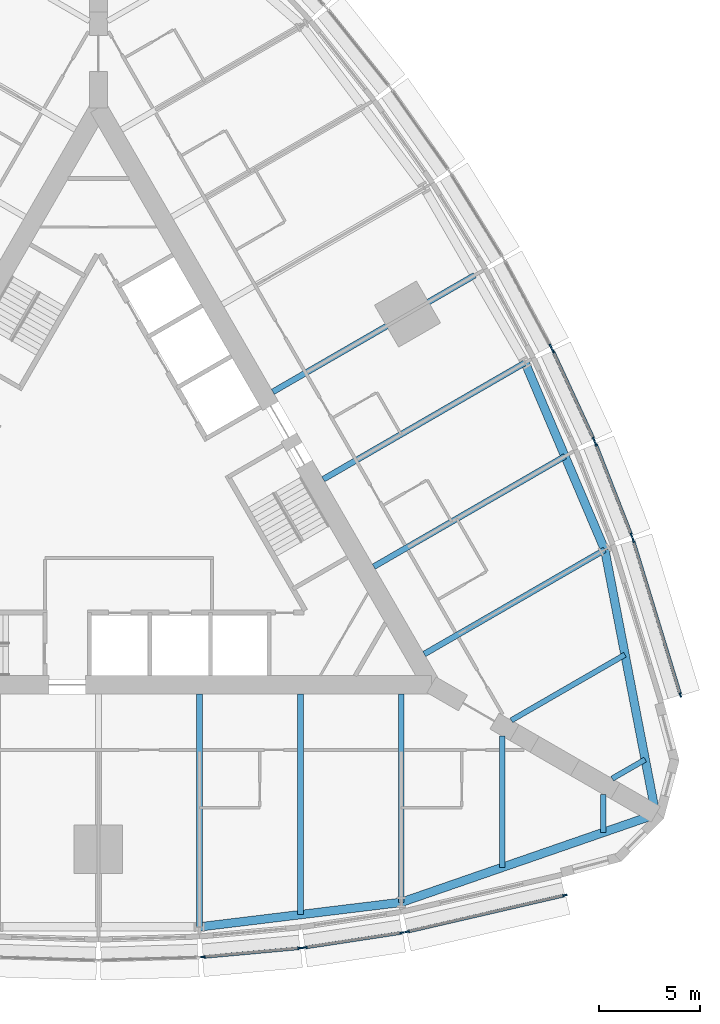
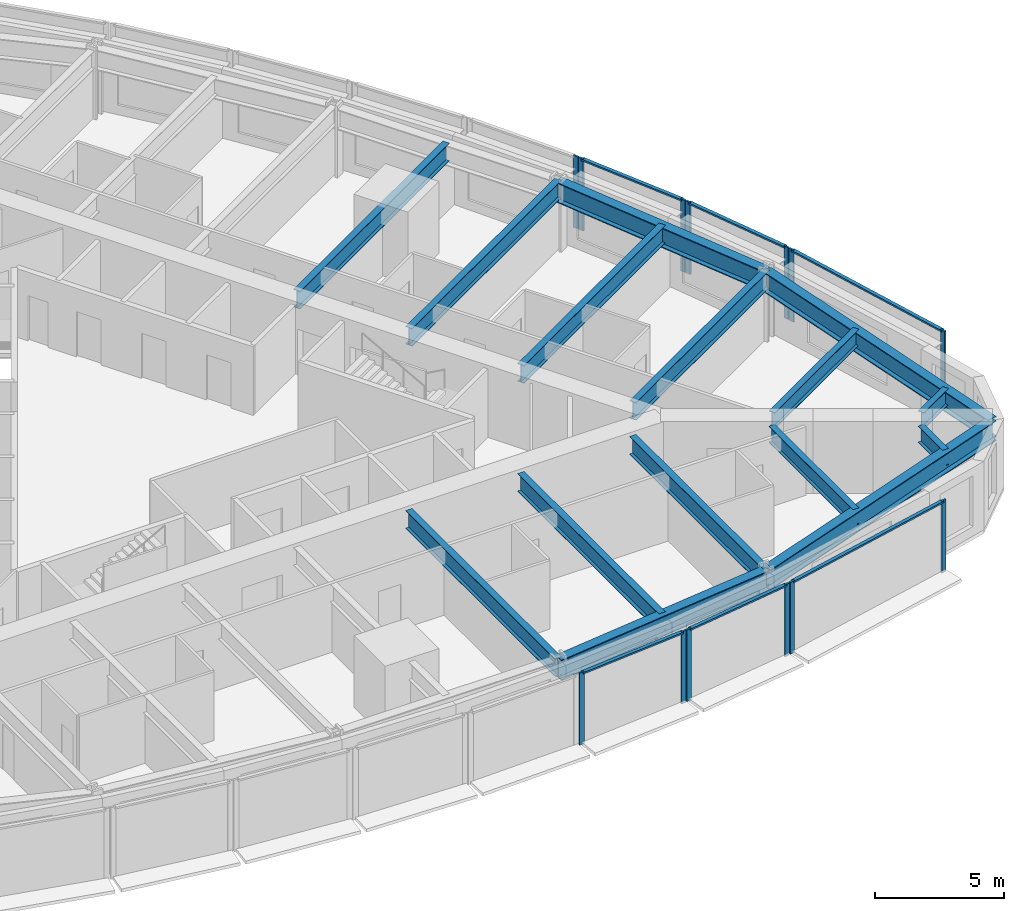
# One storey, part 3 of 14: 19 members, 15 beams, 7 elements without a shape of their own.
"""IFC4 building model written with IfcOpenShell, lengths in metres."""

from ifc_helpers import new_model, si_unit, direction, frame, origin, origin_2d, place, context, subcontext, project, spatial, rectangle, i_section, extrude, material, material_profile, profile_set, type_object, element, aggregate, save


model = new_model("IFC4")

# Units and contexts
model_context = context("Model", 3, precision=1e-05, world=origin(), true_north=direction((0.0, 1.0)))
body_context = subcontext(model_context, "Body", "Model", "MODEL_VIEW")
ifc_project = project(units=[si_unit("LENGTHUNIT", "METRE"), si_unit("AREAUNIT", "SQUARE_METRE"), si_unit("VOLUMEUNIT", "CUBIC_METRE"), si_unit("PLANEANGLEUNIT", "RADIAN"), si_unit("MASSUNIT", "GRAM", prefix="KILO")], contexts=[model_context])

# Site, building, storey
site_placement = place(None, origin())
site = spatial("IfcSite", under=ifc_project, at=site_placement, CompositionType="ELEMENT")
building_placement = place(site_placement, origin())
building = spatial("IfcBuilding", under=site, at=building_placement, Name="Trikona Tower", CompositionType="ELEMENT")
storey_placement = place(building_placement, frame((0.0, 0.0, 55.699951171875)))
storey = spatial("IfcBuildingStorey", under=building, at=storey_placement, Name="L13", CompositionType="ELEMENT", Elevation=55.699951171875)

# Curtain wall, members
ifc_material_1 = material(Name="Aluminium curtain wall system", Category="aluminium")
curtain_wall_type = type_object("IfcCurtainWallType", Name="Curtain wall DS1", PredefinedType="NOTDEFINED", material=ifc_material_1)
curtain_wall_1_placement = place(storey_placement, origin())
curtain_wall_1 = element("IfcCurtainWall", 1, at=curtain_wall_1_placement, inside=storey, type_object=curtain_wall_type, Name="Curtain wall DS1 L13", PredefinedType="NOTDEFINED")
ifc_material_2 = material(Name="Aluminium mullion, pale anodised", Category="aluminium")
ifc_material_profile_1 = material_profile(ifc_material_2, rectangle(XDim=0.080078125, YDim=0.219970703125, at=origin_2d()), Name="MUL-DS1")
ifc_profile_set_1 = profile_set([ifc_material_profile_1], Name="Aluminium mullion, pale anodised")
member_type_1 = type_object("IfcMemberType", Name="Mullion DS1 80x220", PredefinedType="MULLION", material=ifc_profile_set_1)
member_1_placement = place(storey_placement, frame((5.181396484375, -23.007568359375, 0.0), z_axis=(0.0, 0.0, 1.0), x_axis=(-0.090923932737, 0.995857840485, 0.0)))
member_1 = element("IfcMember", 2, at=member_1_placement, type_object=member_type_1, Name="CW-DS1 mullion 1", PredefinedType="MULLION", context=body_context, shape_type="SweptSolid", body=[
    extrude(rectangle(XDim=0.080078125, YDim=0.219970703125, at=origin_2d()), origin(), (0.0, 0.0, 1.0), 3.400146484375),
])
member_2_placement = place(storey_placement, frame((9.982177734375, -22.5693359375, 0.0), z_axis=(0.0, 0.0, 1.0), x_axis=(-0.090923932737, 0.995857840485, 0.0)))
member_2 = element("IfcMember", 3, at=member_2_placement, type_object=member_type_1, Name="CW-DS1 mullion 2", PredefinedType="MULLION", context=body_context, shape_type="SweptSolid", body=[
    extrude(rectangle(XDim=0.080078125, YDim=0.219970703125, at=origin_2d()), origin(), (0.0, 0.0, 1.0), 3.400146484375),
])

curtain_wall_2_placement = place(storey_placement, origin())
curtain_wall_2 = element("IfcCurtainWall", 4, at=curtain_wall_2_placement, inside=storey, type_object=curtain_wall_type, Name="Curtain wall DS1 L13", PredefinedType="NOTDEFINED")
member_3_placement = place(storey_placement, frame((10.234130859375, -22.53857421875, 0.0), z_axis=(0.0, 0.0, 1.0), x_axis=(-0.150437693845, 0.988619492156, 0.0)))
member_3 = element("IfcMember", 5, at=member_3_placement, type_object=member_type_1, Name="CW-DS1 mullion 1", PredefinedType="MULLION", context=body_context, shape_type="SweptSolid", body=[
    extrude(rectangle(XDim=0.080078125, YDim=0.219970703125, at=origin_2d()), origin(), (0.0, 0.0, 1.0), 3.400146484375),
])
member_4_placement = place(storey_placement, frame((15.03662109375, -21.807861328125, 0.0), z_axis=(0.0, 0.0, 1.0), x_axis=(-0.150437693845, 0.988619492156, 0.0)))
member_4 = element("IfcMember", 6, at=member_4_placement, type_object=member_type_1, Name="CW-DS1 mullion 2", PredefinedType="MULLION", context=body_context, shape_type="SweptSolid", body=[
    extrude(rectangle(XDim=0.080078125, YDim=0.219970703125, at=origin_2d()), origin(), (0.0, 0.0, 1.0), 3.400146484375),
])

curtain_wall_3_placement = place(storey_placement, origin())
curtain_wall_3 = element("IfcCurtainWall", 7, at=curtain_wall_3_placement, inside=storey, type_object=curtain_wall_type, Name="Curtain wall DS1 L13", PredefinedType="NOTDEFINED")
member_5_placement = place(storey_placement, frame((15.30029296875, -21.75732421875, 0.0), z_axis=(0.0, 0.0, 1.0), x_axis=(-0.225343288756, 0.974279427173, 0.0)))
member_5 = element("IfcMember", 8, at=member_5_placement, type_object=member_type_1, Name="CW-DS1 mullion 1", PredefinedType="MULLION", context=body_context, shape_type="SweptSolid", body=[
    extrude(rectangle(XDim=0.080078125, YDim=0.219970703125, at=origin_2d()), origin(), (0.0, 0.0, 1.0), 3.400146484375),
])
member_6_placement = place(storey_placement, frame((23.10546875, -19.951904296875, 0.0), z_axis=(0.0, 0.0, 1.0), x_axis=(-0.225343288756, 0.974279427173, 0.0)))
member_6 = element("IfcMember", 9, at=member_6_placement, type_object=member_type_1, Name="CW-DS1 mullion 2", PredefinedType="MULLION", context=body_context, shape_type="SweptSolid", body=[
    extrude(rectangle(XDim=0.080078125, YDim=0.219970703125, at=origin_2d()), origin(), (0.0, 0.0, 1.0), 3.400146484375),
])

curtain_wall_4_placement = place(storey_placement, origin())
curtain_wall_4 = element("IfcCurtainWall", 10, at=curtain_wall_4_placement, inside=storey, type_object=curtain_wall_type, Name="Curtain wall DS1 L13", PredefinedType="NOTDEFINED")
member_7_placement = place(storey_placement, frame((28.83154296875, -10.033935546875, 0.0), z_axis=(0.0, 0.0, 1.0), x_axis=(-0.956423115383, -0.291984287868, 0.0)))
member_7 = element("IfcMember", 11, at=member_7_placement, type_object=member_type_1, Name="CW-DS1 mullion 1", PredefinedType="MULLION", context=body_context, shape_type="SweptSolid", body=[
    extrude(rectangle(XDim=0.080078125, YDim=0.219970703125, at=origin_2d()), origin(), (0.0, 0.0, 1.0), 3.400146484375),
])
member_8_placement = place(storey_placement, frame((26.492431640625, -2.371826171875, 0.0), z_axis=(0.0, 0.0, 1.0), x_axis=(-0.956423115383, -0.291984287868, 0.0)))
member_8 = element("IfcMember", 12, at=member_8_placement, type_object=member_type_1, Name="CW-DS1 mullion 2", PredefinedType="MULLION", context=body_context, shape_type="SweptSolid", body=[
    extrude(rectangle(XDim=0.080078125, YDim=0.219970703125, at=origin_2d()), origin(), (0.0, 0.0, 1.0), 3.400146484375),
])

curtain_wall_5_placement = place(storey_placement, origin())
curtain_wall_5 = element("IfcCurtainWall", 13, at=curtain_wall_5_placement, inside=storey, type_object=curtain_wall_type, Name="Curtain wall DS1 L13", PredefinedType="NOTDEFINED")
member_9_placement = place(storey_placement, frame((26.404296875, -2.1181640625, 0.0), z_axis=(0.0, 0.0, 1.0), x_axis=(-0.931395989443, -0.36400756977, 0.0)))
member_9 = element("IfcMember", 14, at=member_9_placement, type_object=member_type_1, Name="CW-DS1 mullion 1", PredefinedType="MULLION", context=body_context, shape_type="SweptSolid", body=[
    extrude(rectangle(XDim=0.080078125, YDim=0.219970703125, at=origin_2d()), origin(), (0.0, 0.0, 1.0), 3.400146484375),
])
member_10_placement = place(storey_placement, frame((24.63623046875, 2.40625, 0.0), z_axis=(0.0, 0.0, 1.0), x_axis=(-0.931395989443, -0.36400756977, 0.0)))
member_10 = element("IfcMember", 15, at=member_10_placement, type_object=member_type_1, Name="CW-DS1 mullion 2", PredefinedType="MULLION", context=body_context, shape_type="SweptSolid", body=[
    extrude(rectangle(XDim=0.080078125, YDim=0.219970703125, at=origin_2d()), origin(), (0.0, 0.0, 1.0), 3.400146484375),
])

curtain_wall_6_placement = place(storey_placement, origin())
curtain_wall_6 = element("IfcCurtainWall", 16, at=curtain_wall_6_placement, inside=storey, type_object=curtain_wall_type, Name="Curtain wall DS1 L13", PredefinedType="NOTDEFINED")
member_11_placement = place(storey_placement, frame((24.53662109375, 2.6396484375, 0.0), z_axis=(0.0, 0.0, 1.0), x_axis=(-0.907898459992, -0.419190155352, 0.0)))
member_11 = element("IfcMember", 17, at=member_11_placement, type_object=member_type_1, Name="CW-DS1 mullion 1", PredefinedType="MULLION", context=body_context, shape_type="SweptSolid", body=[
    extrude(rectangle(XDim=0.080078125, YDim=0.219970703125, at=origin_2d()), origin(), (0.0, 0.0, 1.0), 3.400146484375),
])
member_12_placement = place(storey_placement, frame((22.515869140625, 7.0166015625, 0.0), z_axis=(0.0, 0.0, 1.0), x_axis=(-0.907898459992, -0.419190155352, 0.0)))
member_12 = element("IfcMember", 18, at=member_12_placement, type_object=member_type_1, Name="CW-DS1 mullion 2", PredefinedType="MULLION", context=body_context, shape_type="SweptSolid", body=[
    extrude(rectangle(XDim=0.080078125, YDim=0.219970703125, at=origin_2d()), origin(), (0.0, 0.0, 1.0), 3.400146484375),
])

# Curtain wall, member
curtain_wall_7_placement = place(storey_placement, origin())
curtain_wall_7 = element("IfcCurtainWall", 19, at=curtain_wall_7_placement, inside=storey, type_object=curtain_wall_type, Name="Curtain wall DS1 L13", PredefinedType="NOTDEFINED")
member_13_placement = place(storey_placement, frame((22.402099609375, 7.244140625, 0.0), z_axis=(0.0, 0.0, 1.0), x_axis=(-0.880843080975, -0.473408350896, 0.0)))
member_13 = element("IfcMember", 20, at=member_13_placement, type_object=member_type_1, Name="CW-DS1 mullion 1", PredefinedType="MULLION", context=body_context, shape_type="SweptSolid", body=[
    extrude(rectangle(XDim=0.080078125, YDim=0.219970703125, at=origin_2d()), origin(), (0.0, 0.0, 1.0), 3.400146484375),
])
aggregate(curtain_wall_7, [member_13])

# Beams
ifc_material_3 = material(Name="Steel ASTM A992 Grade 50", Category="steel")
ifc_material_profile_2 = material_profile(ifc_material_3, i_section(OverallWidth=0.2666015625, OverallDepth=0.76953125, WebThickness=0.015625, FlangeThickness=0.025390625, at=origin_2d()), Name="W30X132")
ifc_profile_set_2 = profile_set([ifc_material_profile_2], Name="Steel ASTM A992 Grade 50")
beam_type_1 = type_object("IfcBeamType", Name="Steel beam W30x132 (wedge)", PredefinedType="BEAM", material=ifc_profile_set_2)
beam_1_placement = place(storey_placement, frame((20.0, -12.066650390625, 2.850341796875), z_axis=(0.0, -1.0, 0.0), x_axis=(1.0, 0.0, 0.0)))
element("IfcBeam", 21, at=beam_1_placement, inside=storey, type_object=beam_type_1, Name="Floor beam L14 F1 u20", PredefinedType="BEAM", context=body_context, shape_type="SweptSolid", body=[
    extrude(i_section(OverallWidth=0.2666015625, OverallDepth=0.76953125, WebThickness=0.015625, FlangeThickness=0.025390625, at=origin_2d()), origin(), (0.0, 0.0, 1.0), 6.5068359375),
])
for number, where, z_axis, x_axis, name in (
    (22, (25.0, -14.953369140625, 2.850341796875), (0.0, -1.0, 0.0), (1.0, 0.0, 0.0), "Floor beam L14 F1 u25"),
    (23, (25.449951171875, -14.173828125, 2.850341796875), (0.866065156741, 0.499931139538, 0.0), (-0.499931139538, 0.866065156741, 0.0), "Floor beam L14 F2 u-25"),
):
    element("IfcBeam", number, at=place(storey_placement, frame(where, z_axis=z_axis, x_axis=x_axis)), inside=storey, type_object=beam_type_1, Name=name, PredefinedType="BEAM", context=body_context, shape_type="SweptSolid", body=[
        extrude(i_section(OverallWidth=0.2666015625, OverallDepth=0.76953125, WebThickness=0.015625, FlangeThickness=0.025390625, at=origin_2d()), origin(), (0.0, 0.0, 1.0), 1.890380859375),
    ])
beam_2_placement = place(storey_placement, frame((20.449951171875, -11.287109375, 2.850341796875), z_axis=(0.866022504693, 0.50000502134, 0.0), x_axis=(-0.50000502134, 0.866022504693, 0.0)))
element("IfcBeam", 24, at=beam_2_placement, inside=storey, type_object=beam_type_1, Name="Floor beam L14 F2 u-20", PredefinedType="BEAM", context=body_context, shape_type="SweptSolid", body=[
    extrude(i_section(OverallWidth=0.2666015625, OverallDepth=0.76953125, WebThickness=0.015625, FlangeThickness=0.025390625, at=origin_2d()), origin(), (0.0, 0.0, 1.0), 6.5068359375),
])
ifc_material_4 = material(Name="Steel ASTM A992 Grade 50", Category="steel")
ifc_material_profile_3 = material_profile(ifc_material_4, i_section(OverallWidth=0.2919921875, OverallDepth=0.845703125, WebThickness=0.015380859375, FlangeThickness=0.0244140625, at=origin_2d()), Name="W33X141")
ifc_profile_set_3 = profile_set([ifc_material_profile_3], Name="Steel ASTM A992 Grade 50")
beam_type_2 = type_object("IfcBeamType", Name="Steel beam W33x141 (radial typ)", PredefinedType="BEAM", material=ifc_profile_set_3)
beam_3_placement = place(storey_placement, frame((5.0, -9.976318359375, 2.812255859375), z_axis=(0.0, -1.0, 0.0), x_axis=(1.0, 0.0, 0.0)))
element("IfcBeam", 25, at=beam_3_placement, inside=storey, type_object=beam_type_2, Name="Floor beam L14 F1 u5", PredefinedType="BEAM", context=body_context, shape_type="SweptSolid", body=[
    extrude(i_section(OverallWidth=0.2919921875, OverallDepth=0.845703125, WebThickness=0.015380859375, FlangeThickness=0.0244140625, at=origin_2d()), origin(), (0.0, 0.0, 1.0), 11.544189453125),
])
beam_4_placement = place(storey_placement, frame((10.0, -9.976318359375, 2.812255859375), z_axis=(0.0, -1.0, 0.0), x_axis=(1.0, 0.0, 0.0)))
element("IfcBeam", 26, at=beam_4_placement, inside=storey, type_object=beam_type_2, Name="Floor beam L14 F1 u10", PredefinedType="BEAM", context=body_context, shape_type="SweptSolid", body=[
    extrude(i_section(OverallWidth=0.2919921875, OverallDepth=0.845703125, WebThickness=0.015380859375, FlangeThickness=0.0244140625, at=origin_2d()), origin(), (0.0, 0.0, 1.0), 10.935302734375),
])
beam_5_placement = place(storey_placement, frame((15.0, -9.976318359375, 2.812255859375), z_axis=(0.0, -1.0, 0.0), x_axis=(1.0, 0.0, 0.0)))
element("IfcBeam", 27, at=beam_5_placement, inside=storey, type_object=beam_type_2, Name="Floor beam L14 F1 u15", PredefinedType="BEAM", context=body_context, shape_type="SweptSolid", body=[
    extrude(i_section(OverallWidth=0.2919921875, OverallDepth=0.845703125, WebThickness=0.015380859375, FlangeThickness=0.0244140625, at=origin_2d()), origin(), (0.0, 0.0, 1.0), 10.32666015625),
])
beam_6_placement = place(storey_placement, frame((16.1396484375, -8.002197265625, 2.812255859375), z_axis=(0.866030471684, 0.499991222037, 0.0), x_axis=(-0.499991222037, 0.866030471684, 0.0)))
element("IfcBeam", 28, at=beam_6_placement, inside=storey, type_object=beam_type_2, Name="Floor beam L14 F2 u-15", PredefinedType="BEAM", context=body_context, shape_type="SweptSolid", body=[
    extrude(i_section(OverallWidth=0.2919921875, OverallDepth=0.845703125, WebThickness=0.015380859375, FlangeThickness=0.0244140625, at=origin_2d()), origin(), (0.0, 0.0, 1.0), 10.326904296875),
])
beam_7_placement = place(storey_placement, frame((13.6396484375, -3.672119140625, 2.812255859375), z_axis=(0.866025348605, 0.500000095573, 0.0), x_axis=(-0.500000095573, 0.866025348605, 0.0)))
element("IfcBeam", 29, at=beam_7_placement, inside=storey, type_object=beam_type_2, Name="Floor beam L14 F2 u-10", PredefinedType="BEAM", context=body_context, shape_type="SweptSolid", body=[
    extrude(i_section(OverallWidth=0.2919921875, OverallDepth=0.845703125, WebThickness=0.015380859375, FlangeThickness=0.0244140625, at=origin_2d()), origin(), (0.0, 0.0, 1.0), 10.935546875),
])
for number, where, z_axis, x_axis, name in (
    (30, (11.1396484375, 0.657958984375, 2.812255859375), (0.866020765707, 0.500008033299, 0.0), (-0.500008033299, 0.866020765707, 0.0), "Floor beam L14 F2 u-5"),
    (31, (8.6396484375, 4.988037109375, 2.812255859375), (0.866020765707, 0.500008033299, 0.0), (-0.500008033299, 0.866020765707, 0.0), "Floor beam L14 F2 u0"),
):
    element("IfcBeam", number, at=place(storey_placement, frame(where, z_axis=z_axis, x_axis=x_axis)), inside=storey, type_object=beam_type_2, Name=name, PredefinedType="BEAM", context=body_context, shape_type="SweptSolid", body=[
        extrude(i_section(OverallWidth=0.2919921875, OverallDepth=0.845703125, WebThickness=0.015380859375, FlangeThickness=0.0244140625, at=origin_2d()), origin(), (0.0, 0.0, 1.0), 11.544189453125),
    ])
ifc_material_5 = material(Name="Steel ASTM A992 Grade 50", Category="steel")
ifc_material_profile_4 = material_profile(ifc_material_5, i_section(OverallWidth=0.424072265625, OverallDepth=0.947509765625, WebThickness=0.02392578125, FlangeThickness=0.042724609375, at=origin_2d()), Name="W36X302")
ifc_profile_set_4 = profile_set([ifc_material_profile_4], Name="Steel ASTM A992 Grade 50")
beam_type_3 = type_object("IfcBeamType", Name="Steel beam W36x302 (spandrel)", PredefinedType="SPANDREL", material=ifc_profile_set_4)
beam_8_placement = place(storey_placement, frame((5.0, -21.5205078125, 2.76123046875), z_axis=(0.99266951126, 0.120860421207, 0.0), x_axis=(-0.120860421207, 0.99266951126, 0.0)))
element("IfcBeam", 32, at=beam_8_placement, inside=storey, type_object=beam_type_3, Name="Spandrel beam L14 F1-4", PredefinedType="SPANDREL", context=body_context, shape_type="SweptSolid", body=[
    extrude(i_section(OverallWidth=0.424072265625, OverallDepth=0.947509765625, WebThickness=0.02392578125, FlangeThickness=0.042724609375, at=origin_2d()), origin(), (0.0, 0.0, 1.0), 10.07373046875),
])
for number, where, z_axis, x_axis, name in (
    (33, (15.0, -20.302978515625, 2.76123046875), (0.945056965739, 0.326905692071, 0.0), (-0.326905692071, 0.945056965739, 0.0), "Spandrel beam L14 F1-5"),
    (34, (27.6103515625, -15.94091796875, 2.76123046875), (-0.189405184036, 0.981899015307, 0.0), (-0.981899015307, -0.189405184036, 0.0), "Spandrel beam L14 F2-1"),
):
    element("IfcBeam", number, at=place(storey_placement, frame(where, z_axis=z_axis, x_axis=x_axis)), inside=storey, type_object=beam_type_3, Name=name, PredefinedType="SPANDREL", context=body_context, shape_type="SweptSolid", body=[
        extrude(i_section(OverallWidth=0.424072265625, OverallDepth=0.947509765625, WebThickness=0.02392578125, FlangeThickness=0.042724609375, at=origin_2d()), origin(), (0.0, 0.0, 1.0), 13.343505859375),
    ])
beam_9_placement = place(storey_placement, frame((25.0830078125, -2.8388671875, 2.76123046875), z_axis=(-0.391683514847, 0.920100007715, 0.0), x_axis=(-0.920100007715, -0.391683514847, 0.0)))
element("IfcBeam", 35, at=beam_9_placement, inside=storey, type_object=beam_type_3, Name="Spandrel beam L14 F2-2", PredefinedType="SPANDREL", context=body_context, shape_type="SweptSolid", body=[
    extrude(i_section(OverallWidth=0.424072265625, OverallDepth=0.947509765625, WebThickness=0.02392578125, FlangeThickness=0.042724609375, at=origin_2d()), origin(), (0.0, 0.0, 1.0), 10.073974609375),
])

# Member
ifc_material_6 = material(Name="Aluminium transom, pale anodised", Category="aluminium")
ifc_material_profile_5 = material_profile(ifc_material_6, rectangle(XDim=0.159912109375, YDim=0.080078125, at=origin_2d()), Name="TRN-DS1")
ifc_profile_set_5 = profile_set([ifc_material_profile_5], Name="Aluminium transom, pale anodised")
member_type_2 = type_object("IfcMemberType", Name="Transom DS1 80x160", PredefinedType="USERDEFINED", material=ifc_profile_set_5)
member_14_placement = place(storey_placement, frame((5.22119140625, -23.00390625, 3.360107421875), z_axis=(0.995855977008, 0.090944340438, 0.0), x_axis=(-0.090944340438, 0.995855977008, 0.0)))
member_14 = element("IfcMember", 36, at=member_14_placement, type_object=member_type_2, Name="CW-DS1 transom 1.1", ObjectType="TRANSOM", PredefinedType="USERDEFINED", context=body_context, shape_type="SweptSolid", body=[
    extrude(rectangle(XDim=0.159912109375, YDim=0.080078125, at=origin_2d()), origin(), (0.0, 0.0, 1.0), 4.74072265625),
])

aggregate(curtain_wall_1, [member_1, member_2, member_14])

member_15_placement = place(storey_placement, frame((10.273681640625, -22.532470703125, 3.360107421875), z_axis=(0.988619663412, 0.150436568413, 0.0), x_axis=(-0.150436568413, 0.988619663412, 0.0)))
member_15 = element("IfcMember", 37, at=member_15_placement, type_object=member_type_2, Name="CW-DS1 transom 1.1", ObjectType="TRANSOM", PredefinedType="USERDEFINED", context=body_context, shape_type="SweptSolid", body=[
    extrude(rectangle(XDim=0.159912109375, YDim=0.080078125, at=origin_2d()), origin(), (0.0, 0.0, 1.0), 4.77783203125),
])

aggregate(curtain_wall_2, [member_3, member_4, member_15])

member_16_placement = place(storey_placement, frame((15.33935546875, -21.748291015625, 3.360107421875), z_axis=(0.974275371842, 0.225360821398, 0.0), x_axis=(-0.225360821398, 0.974275371842, 0.0)))
member_16 = element("IfcMember", 38, at=member_16_placement, type_object=member_type_2, Name="CW-DS1 transom 1.1", ObjectType="TRANSOM", PredefinedType="USERDEFINED", context=body_context, shape_type="SweptSolid", body=[
    extrude(rectangle(XDim=0.159912109375, YDim=0.080078125, at=origin_2d()), origin(), (0.0, 0.0, 1.0), 7.93115234375),
])

aggregate(curtain_wall_3, [member_5, member_6, member_16])

member_17_placement = place(storey_placement, frame((28.81982421875, -9.99560546875, 3.360107421875), z_axis=(-0.291967490203, 0.956428243343, 0.0), x_axis=(-0.956428243343, -0.291967490203, 0.0)))
member_17 = element("IfcMember", 39, at=member_17_placement, type_object=member_type_2, Name="CW-DS1 transom 1.1", ObjectType="TRANSOM", PredefinedType="USERDEFINED", context=body_context, shape_type="SweptSolid", body=[
    extrude(rectangle(XDim=0.159912109375, YDim=0.080078125, at=origin_2d()), origin(), (0.0, 0.0, 1.0), 7.93115234375),
])

aggregate(curtain_wall_4, [member_7, member_8, member_17])

member_18_placement = place(storey_placement, frame((26.389892578125, -2.080810546875, 3.360107421875), z_axis=(-0.364048647668, 0.931379934362, 0.0), x_axis=(-0.931379934362, -0.364048647668, 0.0)))
member_18 = element("IfcMember", 40, at=member_18_placement, type_object=member_type_2, Name="CW-DS1 transom 1.1", ObjectType="TRANSOM", PredefinedType="USERDEFINED", context=body_context, shape_type="SweptSolid", body=[
    extrude(rectangle(XDim=0.159912109375, YDim=0.080078125, at=origin_2d()), origin(), (0.0, 0.0, 1.0), 4.777587890625),
])

aggregate(curtain_wall_5, [member_9, member_10, member_18])

member_19_placement = place(storey_placement, frame((24.52001953125, 2.676025390625, 3.360107421875), z_axis=(-0.419188800665, 0.90789908547, 0.0), x_axis=(-0.90789908547, -0.419188800665, 0.0)))
member_19 = element("IfcMember", 41, at=member_19_placement, type_object=member_type_2, Name="CW-DS1 transom 1.1", ObjectType="TRANSOM", PredefinedType="USERDEFINED", context=body_context, shape_type="SweptSolid", body=[
    extrude(rectangle(XDim=0.159912109375, YDim=0.080078125, at=origin_2d()), origin(), (0.0, 0.0, 1.0), 4.74072265625),
])

aggregate(curtain_wall_6, [member_11, member_12, member_19])

save(model, "model.ifc")
